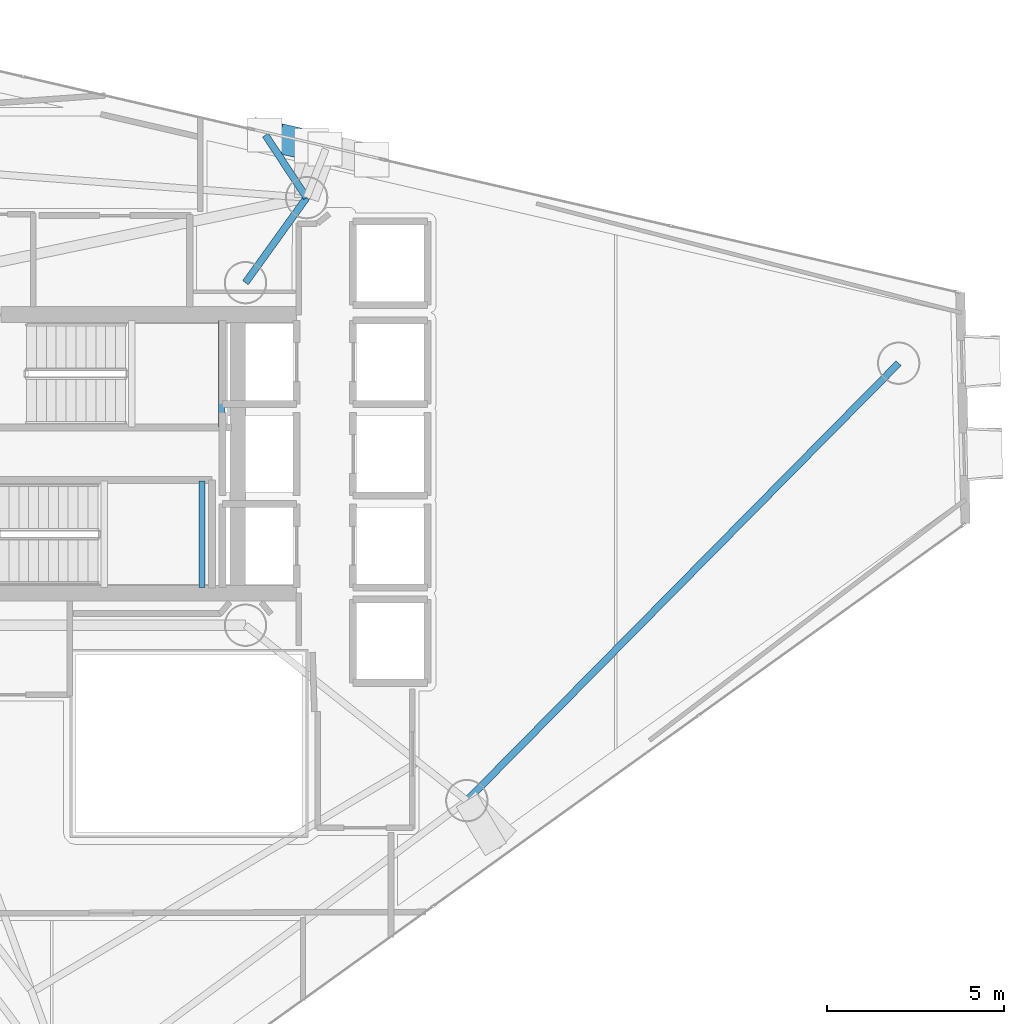
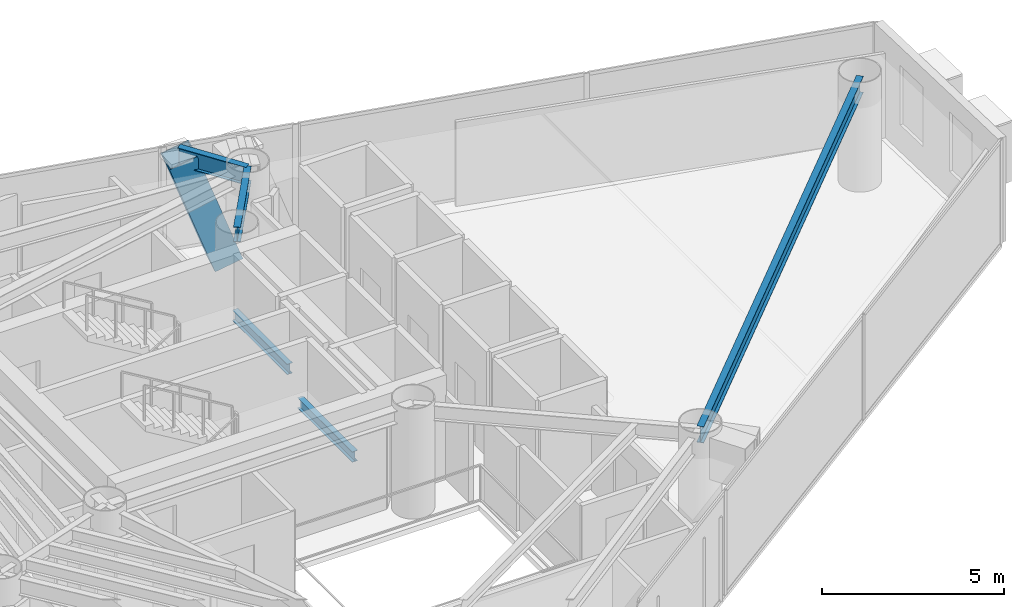
# One storey, part 12 of 22: 5 beams, 1 member.
"""IFC4 building model written with IfcOpenShell, lengths in metres."""

from ifc_helpers import new_model, si_unit, direction, frame, origin, origin_2d, place, context, subcontext, project, spatial, hollow_rectangle, i_section, extrude, material, material_profile, profile_set, type_object, element, save


model = new_model("IFC4")

# Units and contexts
model_context = context("Model", 3, precision=1e-05, world=origin(), true_north=direction((0.0, 1.0)))
body_context = subcontext(model_context, "Body", "Model", "MODEL_VIEW")
ifc_project = project(units=[si_unit("LENGTHUNIT", "METRE"), si_unit("AREAUNIT", "SQUARE_METRE"), si_unit("VOLUMEUNIT", "CUBIC_METRE"), si_unit("PLANEANGLEUNIT", "RADIAN"), si_unit("MASSUNIT", "GRAM", prefix="KILO")], contexts=[model_context])

# Site, building, storey
site_placement = place(None, origin())
site = spatial("IfcSite", under=ifc_project, at=site_placement, CompositionType="ELEMENT")
building_placement = place(site_placement, origin())
building = spatial("IfcBuilding", under=site, at=building_placement, Name="Qianvela Tower", CompositionType="ELEMENT")
storey_placement = place(building_placement, frame((0.0, 0.0, 204.0)))
storey = spatial("IfcBuildingStorey", under=building, at=storey_placement, Name="L52", CompositionType="ELEMENT", Elevation=204.0)

# Beams
ifc_material_1 = material(Name="Steel Q355B", Category="steel")
ifc_material_profile_1 = material_profile(ifc_material_1, i_section(OverallWidth=0.175048828125, OverallDepth=0.35009765625, WebThickness=0.007080078125, FlangeThickness=0.010986328125, at=origin_2d()), Name="HN350x175x7x11")
ifc_profile_set_1 = profile_set([ifc_material_profile_1], Name="Steel Q355B")
beam_type_1 = type_object("IfcBeamType", Name="BM-HN350-JOIST", PredefinedType="JOIST", material=ifc_profile_set_1)
for number, where, z_axis, x_axis, name in (
    (1, (37.719970703125, 29.4599609375, 1.47509765625), (0.0, 1.0, 0.0), (-1.0, 0.0, 0.0), "L52 Stair ST-1 Landing Support Beam 1.2"),
    (2, (37.169921875, 24.919921875, 1.47509765625), (0.0, 1.0, 0.0), (-1.0, 0.0, 0.0), "L52 Stair ST-2 Landing Support Beam 1.2"),
):
    element("IfcBeam", number, at=place(storey_placement, frame(where, z_axis=z_axis, x_axis=x_axis)), inside=storey, type_object=beam_type_1, Name=name, PredefinedType="JOIST", context=body_context, shape_type="SweptSolid", body=[
        extrude(i_section(OverallWidth=0.175048828125, OverallDepth=0.35009765625, WebThickness=0.007080078125, FlangeThickness=0.010986328125, at=origin_2d()), origin(), (0.0, 0.0, 1.0), 3.02001953125),
    ])
ifc_material_2 = material(Name="Steel Q355B", Category="steel")
ifc_material_profile_2 = material_profile(ifc_material_2, i_section(OverallWidth=0.199951171875, OverallDepth=0.5, WebThickness=0.010009765625, FlangeThickness=0.01611328125, at=origin_2d()), Name="HN500x200x10x16")
ifc_profile_set_2 = profile_set([ifc_material_profile_2], Name="Steel Q355B")
beam_type_2 = type_object("IfcBeamType", Name="BM-HN500-GIRD", PredefinedType="BEAM", material=ifc_profile_set_2)
beam_1_placement = place(storey_placement, frame((38.39990234375, 33.550048828125, 3.26806640625), z_axis=(0.583742907536, 0.811938555496, 0.0), x_axis=(-0.811938555496, 0.583742907536, 0.0)))
element("IfcBeam", 3, at=beam_1_placement, inside=storey, type_object=beam_type_2, Name="L52 Radial Primary Floor Girder 2", PredefinedType="BEAM", context=body_context, shape_type="SweptSolid", body=[
    extrude(i_section(OverallWidth=0.199951171875, OverallDepth=0.5, WebThickness=0.010009765625, FlangeThickness=0.01611328125, at=origin_2d()), origin(), (0.0, 0.0, 1.0), 2.965576171875),
])
ifc_material_3 = material(Name="Steel Q355B", Category="steel")
ifc_material_profile_3 = material_profile(ifc_material_3, i_section(OverallWidth=0.199951171875, OverallDepth=0.550048828125, WebThickness=0.010009765625, FlangeThickness=0.01611328125, at=origin_2d()), Name="HN550x200x10x16")
ifc_profile_set_3 = profile_set([ifc_material_profile_3], Name="Steel Q355B")
beam_type_3 = type_object("IfcBeamType", Name="BM-HN550-GIRD", PredefinedType="BEAM", material=ifc_profile_set_3)
beam_2_placement = place(storey_placement, frame((44.6669921875, 18.883056640625, 3.242919921875), z_axis=(0.702583270685, 0.711601537205, 0.0), x_axis=(-0.711601537205, 0.702583270685, 0.0)))
element("IfcBeam", 4, at=beam_2_placement, inside=storey, type_object=beam_type_3, Name="L52 Perimeter Ring Spandrel Girder 6", PredefinedType="BEAM", context=body_context, shape_type="SweptSolid", body=[
    extrude(i_section(OverallWidth=0.199951171875, OverallDepth=0.550048828125, WebThickness=0.010009765625, FlangeThickness=0.01611328125, at=origin_2d()), origin(), (0.0, 0.0, 1.0), 17.4072265625),
])
ifc_material_4 = material(Name="Steel Q355B", Category="steel")
ifc_material_profile_4 = material_profile(ifc_material_4, i_section(OverallWidth=0.199951171875, OverallDepth=0.60009765625, WebThickness=0.010986328125, FlangeThickness=0.01708984375, at=origin_2d()), Name="HN600x200x11x17")
ifc_profile_set_4 = profile_set([ifc_material_profile_4], Name="Steel Q355B")
beam_type_4 = type_object("IfcBeamType", Name="BM-HN600-GIRD", PredefinedType="BEAM", material=ifc_profile_set_4)
beam_3_placement = place(storey_placement, frame((40.131103515625, 35.9580078125, 3.218017578125), z_axis=(-0.549929778873, 0.835210894511, 0.0), x_axis=(-0.835210894511, -0.549929778873, 0.0)))
element("IfcBeam", 5, at=beam_3_placement, inside=storey, type_object=beam_type_4, Name="L52 Mega-Brace Column Tie Bracket F1-2", PredefinedType="BEAM", context=body_context, shape_type="SweptSolid", body=[
    extrude(i_section(OverallWidth=0.199951171875, OverallDepth=0.60009765625, WebThickness=0.010986328125, FlangeThickness=0.01708984375, at=origin_2d()), origin(), (0.0, 0.0, 1.0), 2.1181640625),
])

# Member
ifc_material_5 = material(Name="Steel Q420GJC", Category="steel")
ifc_material_profile_5 = material_profile(ifc_material_5, hollow_rectangle(XDim=0.85009765625, YDim=0.85009765625, WallThickness=0.031982421875, at=origin_2d()), Name="MBOX-850x850x32")
ifc_profile_set_5 = profile_set([ifc_material_profile_5], Name="Steel Q420GJC")
member_type = type_object("IfcMemberType", Name="MBR-MBRACE-850", PredefinedType="BRACE", material=ifc_profile_set_5)
member_placement = place(storey_placement, frame((40.245361328125, 37.431884765625, -0.48193359375), z_axis=(-0.325798108725, 0.075184178936, 0.942445187578), x_axis=(-0.224859506699, -0.974391195695, 0.0)))
element("IfcMember", 6, at=member_placement, inside=storey, type_object=member_type, Name="L52 Tier 8 Exterior Mega-Brace F1B", PredefinedType="BRACE", context=body_context, shape_type="SweptSolid", body=[
    extrude(hollow_rectangle(XDim=0.85009765625, YDim=0.85009765625, WallThickness=0.031982421875, at=origin_2d()), origin(), (0.0, 0.0, 1.0), 3.926025390625),
])

save(model, "model.ifc")
